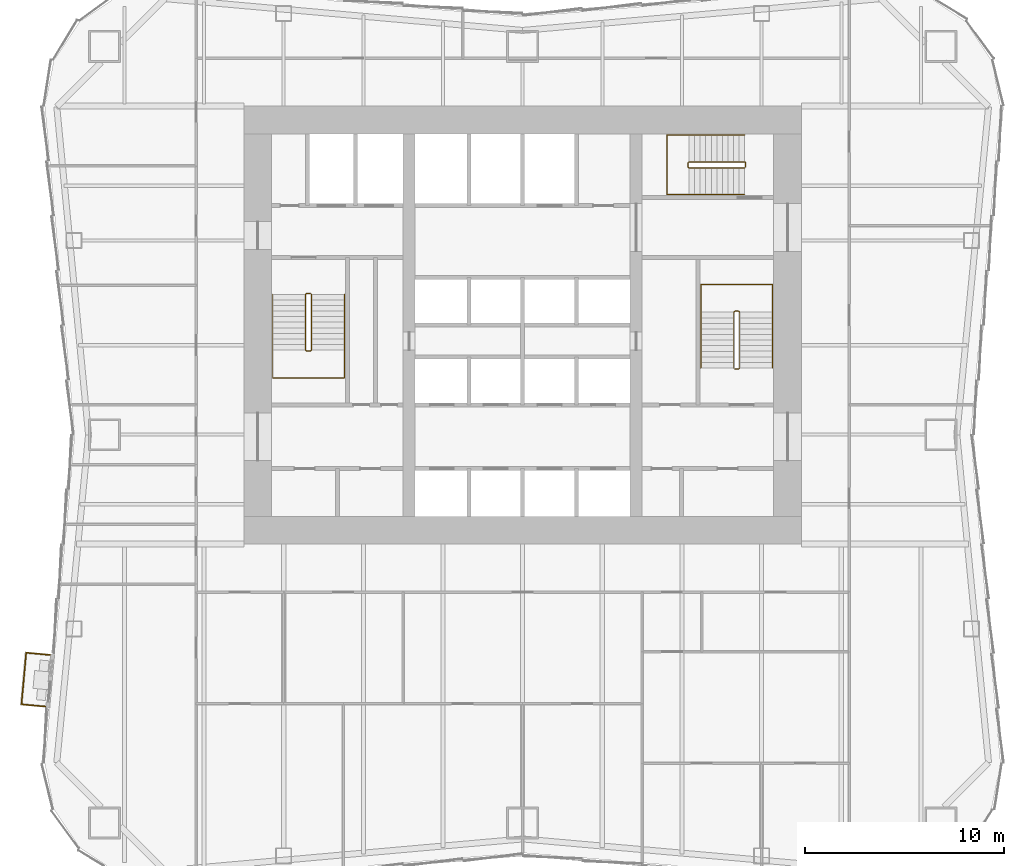
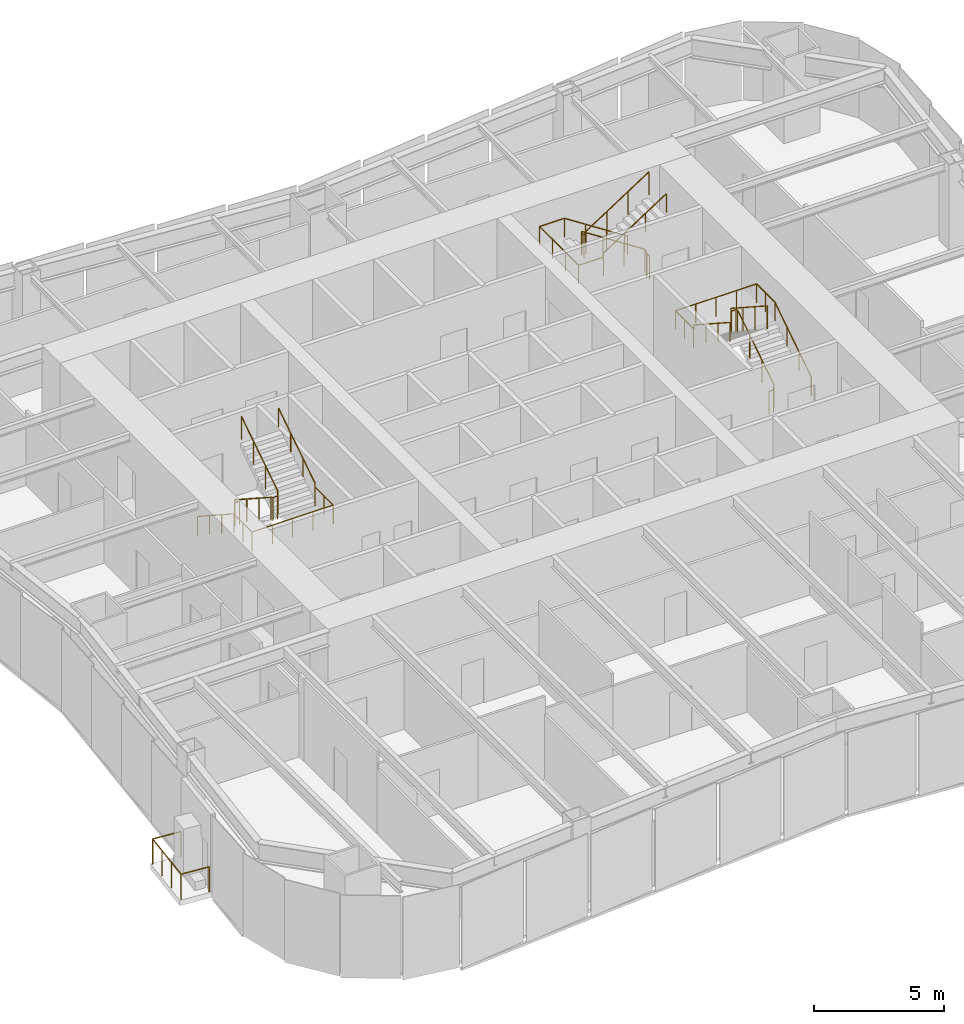
# One storey, part 7 of 8: 7 railings.
"""IFC4 building model written with IfcOpenShell, lengths in metres."""

import ifcopenshell
import ifcopenshell.guid

model = None  # the IFC model being written
_history = None  # IfcOwnerHistory: only IFC2X3 demands one
_inside = {}  # id of a spatial element -> (the spatial element, [elements in it])
_under = {}  # id of a project, library or spatial element -> (it, [spatial elements below it])
_declared = {}  # id of a project -> (the project, [libraries it declares])
_typed = {}  # id of a type object -> (the type object, [elements of that type])
_made_of = {}  # id of a material, layer set ... -> (it, [elements and type objects made of it])


def new_model(schema):
    """Start an empty IFC model of exactly this schema.

    Asked for "IFC4X3", IfcOpenShell would pick the latest addendum, in which some entities
    have other attributes; the version numbers below select the first issue.
    IFC2X3 requires an IfcOwnerHistory on every rooted entity: one is made here for all.
    """
    global model, _history
    if schema == "IFC4X3":
        model = ifcopenshell.file(schema_version=(4, 3, 0, 0))
    else:
        model = ifcopenshell.file(schema=schema)
    _inside.clear()
    _under.clear()
    _declared.clear()
    _typed.clear()
    _made_of.clear()
    _history = None
    if model.schema == "IFC2X3":
        org = make("IfcOrganization", Name="unknown")
        user = make(
            "IfcPersonAndOrganization",
            ThePerson=make("IfcPerson", FamilyName="unknown"),
            TheOrganization=org,
        )
        app = make(
            "IfcApplication",
            ApplicationDeveloper=org,
            Version="unknown",
            ApplicationFullName="unknown",
            ApplicationIdentifier="unknown",
        )
        _history = make(
            "IfcOwnerHistory",
            OwningUser=user,
            OwningApplication=app,
            ChangeAction="ADDED",
            CreationDate=0,
        )
    return model


def make(cls, **values):
    """One entity of the class cls with the attributes given. An attribute that is None is left unset."""
    return model.create_entity(
        cls, **{name: value for name, value in values.items() if value is not None}
    )


def rooted(cls, **values):
    """An entity with a GlobalId (a new one), such as an element, a storey or a relation."""
    return make(cls, GlobalId=ifcopenshell.guid.new(), OwnerHistory=_history, **values)


def si_unit(unit_type, name, prefix=None):
    """IfcSIUnit, for example si_unit("LENGTHUNIT", "METRE", prefix="MILLI")."""
    return make("IfcSIUnit", UnitType=unit_type, Prefix=prefix, Name=name)


def assignment(units):
    """IfcUnitAssignment: the units of a project."""
    return None if units is None else make("IfcUnitAssignment", Units=units)


def point(xyz):
    """IfcCartesianPoint."""
    return None if xyz is None else make("IfcCartesianPoint", Coordinates=xyz)


def direction(xyz):
    """IfcDirection."""
    return None if xyz is None else make("IfcDirection", DirectionRatios=xyz)


def frame(location, z_axis=None, x_axis=None):
    """IfcAxis2Placement3D, a coordinate frame: its origin and axes. An axis left out is left unset."""
    return make(
        "IfcAxis2Placement3D",
        Location=point(location),
        Axis=direction(z_axis),
        RefDirection=direction(x_axis),
    )


def frame_2d(location, x_axis=None):
    """IfcAxis2Placement2D, a coordinate frame in the plane: its origin and x axis."""
    return make(
        "IfcAxis2Placement2D", Location=point(location), RefDirection=direction(x_axis)
    )


def origin():
    """The frame at (0, 0, 0) with its axes left unset."""
    return frame((0.0, 0.0, 0.0))


def origin_2d():
    """The frame at (0, 0) in the plane with its x axis left unset."""
    return frame_2d((0.0, 0.0))


def place(relative_to, where):
    """IfcLocalPlacement: puts the frame where relative to a parent placement (None: the world)."""
    return make(
        "IfcLocalPlacement", PlacementRelTo=relative_to, RelativePlacement=where
    )


def context(
    kind, dimensions, precision=None, world=None, true_north=None, identifier=None
):
    """IfcGeometricRepresentationContext, for example the 3D "Model" context."""
    return make(
        "IfcGeometricRepresentationContext",
        ContextIdentifier=identifier,
        ContextType=kind,
        CoordinateSpaceDimension=dimensions,
        Precision=precision,
        WorldCoordinateSystem=world,
        TrueNorth=true_north,
    )


def subcontext(parent, identifier, kind, view, scale=None):
    """IfcGeometricRepresentationSubContext, for example "Body" below "Model"."""
    return make(
        "IfcGeometricRepresentationSubContext",
        ContextIdentifier=identifier,
        ContextType=kind,
        ParentContext=parent,
        TargetScale=scale,
        TargetView=view,
    )


def project(units=None, contexts=None):
    """IfcProject with its units and contexts."""
    return rooted(
        "IfcProject",
        Name="project",
        RepresentationContexts=contexts,
        UnitsInContext=assignment(units),
    )


def spatial(cls, under=None, at=None, **own):
    """A site, building, storey or space (cls), placed at a placement, below another one or the project."""
    s = rooted(cls, ObjectPlacement=at, **own)
    if under is not None:
        _under.setdefault(under.id(), (under, []))[1].append(s)
    return s


def profile(cls, at=None, kind="AREA", **sizes):
    """A parametric profile (cls). Its sizes go by their IFC names, for example OverallWidth=200.0."""
    return make(cls, ProfileType=kind, Position=at, **sizes)


def circle(**sizes):
    """IfcCircleProfileDef."""
    return profile("IfcCircleProfileDef", **sizes)


def extrude(swept, where, along, depth):
    """IfcExtrudedAreaSolid: the profile swept, set in the frame where, extruded along a direction by depth."""
    return make(
        "IfcExtrudedAreaSolid",
        SweptArea=swept,
        Position=where,
        ExtrudedDirection=direction(along),
        Depth=depth,
    )


def shape(context_of_items, identifier, shape_type, items):
    """IfcShapeRepresentation: the items that make up one representation, for example the "Body"."""
    return make(
        "IfcShapeRepresentation",
        ContextOfItems=context_of_items,
        RepresentationIdentifier=identifier,
        RepresentationType=shape_type,
        Items=items,
    )


def material(Name=None, Category=None):
    """IfcMaterial."""
    return make("IfcMaterial", Name=Name, Category=Category)


def made_of(thing, what):
    """Note that an element or type object is made of a material, layer set ...; save() writes the relation."""
    if what is not None:
        _made_of.setdefault(what.id(), (what, []))[1].append(thing)
    return thing


def type_object(cls, material=None, **own):
    """A type object (cls), such as IfcWallType, which elements share."""
    return made_of(rooted(cls, **own), material)


def element(
    cls,
    number,
    at=None,
    inside=None,
    cuts=None,
    type_object=None,
    material=None,
    context=None,
    identifier="Body",
    shape_type=None,
    held_by="IfcProductDefinitionShape",
    body=None,
    shapes=None,
    **own,
):
    """One element of the class cls, such as IfcWall. Its Tag is "e" and its number.

    at: its placement. inside: the storey or other place that contains it. cuts: it is an
    opening in that element (IfcRelVoidsElement). A single representation is given by context,
    identifier, shape_type and body (its items); several are given by shapes. held_by: the class
    of the entity that holds the representations. save() writes the other relations.
    """
    e = rooted(cls, Tag="e%d" % number, ObjectPlacement=at, **own)
    if body is not None:
        shapes = [shape(context, identifier, shape_type, body)]
    if shapes is not None:
        e.Representation = make(held_by, Representations=shapes)
    if inside is not None:
        _inside.setdefault(inside.id(), (inside, []))[1].append(e)
    if cuts is not None:
        rooted(
            "IfcRelVoidsElement", RelatingBuildingElement=cuts, RelatedOpeningElement=e
        )
    if type_object is not None:
        _typed.setdefault(type_object.id(), (type_object, []))[1].append(e)
    return made_of(e, material)


def aggregate(whole, parts):
    """IfcRelAggregates: a whole, such as a stair, and the parts it consists of."""
    return rooted("IfcRelAggregates", RelatingObject=whole, RelatedObjects=parts)


def save(model, path):
    """Write the relations noted so far, then the file.

    IfcRelAggregates (storeys below a building ...), IfcRelContainedInSpatialStructure (elements
    in a storey), IfcRelDefinesByType, IfcRelAssociatesMaterial and IfcRelDeclares: one each for
    every whole, place, type object, material and project.
    """
    for whole, parts in _under.values():
        aggregate(whole, parts)
    for where, things in _inside.values():
        rooted(
            "IfcRelContainedInSpatialStructure",
            RelatedElements=things,
            RelatingStructure=where,
        )
    for kind, things in _typed.values():
        rooted("IfcRelDefinesByType", RelatedObjects=things, RelatingType=kind)
    for what, things in _made_of.values():
        rooted("IfcRelAssociatesMaterial", RelatedObjects=things, RelatingMaterial=what)
    for by, libraries in _declared.values():
        rooted("IfcRelDeclares", RelatingContext=by, RelatedDefinitions=libraries)
    model.write(path)


model = new_model("IFC4")

# Units and contexts
model_context = context("Model", 3, precision=1e-05, world=origin(), true_north=direction((0.0, 1.0)))
body_context = subcontext(model_context, "Body", "Model", "MODEL_VIEW")
ifc_project = project(units=[si_unit("LENGTHUNIT", "METRE"), si_unit("AREAUNIT", "SQUARE_METRE"), si_unit("VOLUMEUNIT", "CUBIC_METRE"), si_unit("PLANEANGLEUNIT", "RADIAN"), si_unit("MASSUNIT", "GRAM", prefix="KILO")], contexts=[model_context])

# Site, building, storey
site_placement = place(None, origin())
site = spatial("IfcSite", under=ifc_project, at=site_placement, CompositionType="ELEMENT")
building_placement = place(site_placement, origin())
building = spatial("IfcBuilding", under=site, at=building_placement, Name="Verdant Reach Tower", CompositionType="ELEMENT")
storey_placement = place(building_placement, frame((0.0, 0.0, 22.0)))
storey = spatial("IfcBuildingStorey", under=building, at=storey_placement, Name="L04", CompositionType="ELEMENT", Elevation=22.0)

# Railings
ifc_material_1 = material(Name="Stainless steel", Category="steel")
railing_type_1 = type_object("IfcRailingType", Name="CO-GUARD", PredefinedType="GUARDRAIL", material=ifc_material_1)
railing_1_placement = place(storey_placement, frame((-10.64990234375, 29.60009765625, 0.0)))
element("IfcRailing", 1, at=railing_1_placement, inside=storey, type_object=railing_type_1, Name="L04 ST-1 stair guard 1", PredefinedType="GUARDRAIL", context=body_context, shape_type="SweptSolid", body=[
    extrude(circle(Radius=0.02392578125, at=origin_2d()), frame((0.0, 0.0, 1.076171875), z_axis=(-1.0, 0.0, 0.0), x_axis=(0.0, -1.0, 0.0)), (0.0, 0.0, 1.0), 0.2001953125),
    extrude(circle(Radius=0.02392578125, at=origin_2d()), frame((-0.2001953125, 0.0, 1.076171875), z_axis=(-0.25526617399, -0.256517478764, 0.932222056972), x_axis=(0.708833529934, -0.705375805398, 0.0)), (0.0, 0.0, 1.0), 0.195068359375),
    extrude(circle(Radius=0.02392578125, at=origin_2d()), frame((-0.25, -0.050048828125, 1.2578125), z_axis=(0.0, -0.838705829183, 0.544584733623), x_axis=(1.0, 0.0, 0.0)), (0.0, 0.0, 1.0), 3.338623046875),
    extrude(circle(Radius=0.02392578125, at=origin_2d()), frame((-0.25, -2.85009765625, 3.076171875), z_axis=(0.705375805398, -0.708833529934, 0.0), x_axis=(0.708833529934, 0.705375805398, 0.0)), (0.0, 0.0, 1.0), 0.070556640625),
    extrude(circle(Radius=0.02392578125, at=origin_2d()), frame((-0.2001953125, -2.900146484375, 3.076171875), z_axis=(1.0, 0.0, 0.0), x_axis=(0.0, 1.0, 0.0)), (0.0, 0.0, 1.0), 0.2001953125),
    extrude(circle(Radius=0.02392578125, at=origin_2d()), frame((0.0, -2.900146484375, 3.076171875), z_axis=(0.25526617399, 0.256517478764, 0.932222056972), x_axis=(-0.708833529934, 0.705375805398, 0.0)), (0.0, 0.0, 1.0), 0.195068359375),
    extrude(circle(Radius=0.02392578125, at=origin_2d()), frame((0.0498046875, -2.85009765625, 3.2578125), z_axis=(0.0, 0.838705829183, 0.544584733623), x_axis=(-1.0, 0.0, 0.0)), (0.0, 0.0, 1.0), 3.338623046875),
    extrude(circle(Radius=0.02099609375, at=origin_2d()), origin(), (0.0, 0.0, 1.0), 1.052001953125),
    extrude(circle(Radius=0.02099609375, at=origin_2d()), frame((-0.2001953125, 0.0, 0.0)), (0.0, 0.0, 1.0), 1.052001953125),
    extrude(circle(Radius=0.02099609375, at=origin_2d()), frame((-0.25, -0.050048828125, 0.181884765625)), (0.0, 0.0, 1.0), 1.052001953125),
    extrude(circle(Radius=0.02099609375, at=origin_2d()), frame((-0.25, -0.9833984375, 0.787841796875)), (0.0, 0.0, 1.0), 1.052001953125),
    extrude(circle(Radius=0.02099609375, at=origin_2d()), frame((-0.25, -1.916748046875, 1.39404296875)), (0.0, 0.0, 1.0), 1.052001953125),
    extrude(circle(Radius=0.02099609375, at=origin_2d()), frame((-0.25, -2.85009765625, 2.0)), (0.0, 0.0, 1.0), 1.052001953125),
    extrude(circle(Radius=0.02099609375, at=origin_2d()), frame((-0.2001953125, -2.900146484375, 2.0)), (0.0, 0.0, 1.0), 1.052001953125),
    extrude(circle(Radius=0.02099609375, at=origin_2d()), frame((0.0, -2.900146484375, 2.0)), (0.0, 0.0, 1.0), 1.052001953125),
    extrude(circle(Radius=0.02099609375, at=origin_2d()), frame((0.0498046875, -2.85009765625, 2.181884765625)), (0.0, 0.0, 1.0), 1.052001953125),
    extrude(circle(Radius=0.02099609375, at=origin_2d()), frame((0.0498046875, -1.916748046875, 2.787841796875)), (0.0, 0.0, 1.0), 1.052001953125),
    extrude(circle(Radius=0.02099609375, at=origin_2d()), frame((0.0498046875, -0.9833984375, 3.39404296875)), (0.0, 0.0, 1.0), 1.052001953125),
    extrude(circle(Radius=0.02099609375, at=origin_2d()), frame((0.0498046875, -0.050048828125, 4.0)), (0.0, 0.0, 1.0), 1.052001953125),
])
railing_2_placement = place(storey_placement, frame((10.64990234375, 25.800048828125, 0.0)))
element("IfcRailing", 2, at=railing_2_placement, inside=storey, type_object=railing_type_1, Name="L04 ST-2 stair guard 1", PredefinedType="GUARDRAIL", context=body_context, shape_type="SweptSolid", body=[
    extrude(circle(Radius=0.02392578125, at=origin_2d()), frame((0.0, 0.0, 1.076171875), z_axis=(1.0, 0.0, 0.0), x_axis=(0.0, 1.0, 0.0)), (0.0, 0.0, 1.0), 0.2001953125),
    extrude(circle(Radius=0.02392578125, at=origin_2d()), frame((0.2001953125, 0.0, 1.076171875), z_axis=(0.25526617399, 0.256517478764, 0.932222056972), x_axis=(-0.708833529934, 0.705375805398, 0.0)), (0.0, 0.0, 1.0), 0.195068359375),
    extrude(circle(Radius=0.02392578125, at=origin_2d()), frame((0.25, 0.050048828125, 1.2578125), z_axis=(0.0, 0.83868413941, 0.544618136222), x_axis=(-1.0, 0.0, 0.0)), (0.0, 0.0, 1.0), 3.33837890625),
    extrude(circle(Radius=0.02392578125, at=origin_2d()), frame((0.25, 2.849853515625, 3.076171875), z_axis=(-0.705375805398, 0.708833529934, 0.0), x_axis=(-0.708833529934, -0.705375805398, 0.0)), (0.0, 0.0, 1.0), 0.070556640625),
    extrude(circle(Radius=0.02392578125, at=origin_2d()), frame((0.2001953125, 2.89990234375, 3.076171875), z_axis=(-1.0, 0.0, 0.0), x_axis=(0.0, -1.0, 0.0)), (0.0, 0.0, 1.0), 0.2001953125),
    extrude(circle(Radius=0.02392578125, at=origin_2d()), frame((0.0, 2.89990234375, 3.076171875), z_axis=(-0.25526617399, -0.256517478764, 0.932222056972), x_axis=(0.708833529934, -0.705375805398, 0.0)), (0.0, 0.0, 1.0), 0.195068359375),
    extrude(circle(Radius=0.02392578125, at=origin_2d()), frame((-0.0498046875, 2.849853515625, 3.2578125), z_axis=(0.0, -0.83868413941, 0.544618136222), x_axis=(1.0, 0.0, 0.0)), (0.0, 0.0, 1.0), 3.33837890625),
    extrude(circle(Radius=0.02099609375, at=origin_2d()), origin(), (0.0, 0.0, 1.0), 1.052001953125),
    extrude(circle(Radius=0.02099609375, at=origin_2d()), frame((0.2001953125, 0.0, 0.0)), (0.0, 0.0, 1.0), 1.052001953125),
    extrude(circle(Radius=0.02099609375, at=origin_2d()), frame((0.25, 0.050048828125, 0.181884765625)), (0.0, 0.0, 1.0), 1.052001953125),
    extrude(circle(Radius=0.02099609375, at=origin_2d()), frame((0.25, 0.9833984375, 0.787841796875)), (0.0, 0.0, 1.0), 1.052001953125),
    extrude(circle(Radius=0.02099609375, at=origin_2d()), frame((0.25, 1.91650390625, 1.39404296875)), (0.0, 0.0, 1.0), 1.052001953125),
    extrude(circle(Radius=0.02099609375, at=origin_2d()), frame((0.25, 2.849853515625, 2.0)), (0.0, 0.0, 1.0), 1.052001953125),
    extrude(circle(Radius=0.02099609375, at=origin_2d()), frame((0.2001953125, 2.89990234375, 2.0)), (0.0, 0.0, 1.0), 1.052001953125),
    extrude(circle(Radius=0.02099609375, at=origin_2d()), frame((0.0, 2.89990234375, 2.0)), (0.0, 0.0, 1.0), 1.052001953125),
    extrude(circle(Radius=0.02099609375, at=origin_2d()), frame((-0.0498046875, 2.849853515625, 2.181884765625)), (0.0, 0.0, 1.0), 1.052001953125),
    extrude(circle(Radius=0.02099609375, at=origin_2d()), frame((-0.0498046875, 1.91650390625, 2.787841796875)), (0.0, 0.0, 1.0), 1.052001953125),
    extrude(circle(Radius=0.02099609375, at=origin_2d()), frame((-0.0498046875, 0.9833984375, 3.39404296875)), (0.0, 0.0, 1.0), 1.052001953125),
    extrude(circle(Radius=0.02099609375, at=origin_2d()), frame((-0.0498046875, 0.050048828125, 4.0)), (0.0, 0.0, 1.0), 1.052001953125),
])
railing_3_placement = place(storey_placement, frame((11.199951171875, 35.949951171875, 0.0)))
element("IfcRailing", 3, at=railing_3_placement, inside=storey, type_object=railing_type_1, Name="L04 ST-3 stair guard 1", PredefinedType="GUARDRAIL", context=body_context, shape_type="SweptSolid", body=[
    extrude(circle(Radius=0.02392578125, at=origin_2d()), frame((0.0, 0.0, 1.076171875), z_axis=(0.0, 1.0, 0.0), x_axis=(-1.0, 0.0, 0.0)), (0.0, 0.0, 1.0), 0.199951171875),
    extrude(circle(Radius=0.02392578125, at=origin_2d()), frame((0.0, 0.199951171875, 1.076171875), z_axis=(-0.256435381639, 0.256435381639, 0.931923704005), x_axis=(-0.707106781187, -0.707106781187, 0.0)), (0.0, 0.0, 1.0), 0.195068359375),
    extrude(circle(Radius=0.02392578125, at=origin_2d()), frame((-0.050048828125, 0.25, 1.2578125), z_axis=(-0.83868413941, 0.0, 0.544618136222), x_axis=(0.0, -1.0, 0.0)), (0.0, 0.0, 1.0), 3.33837890625),
    extrude(circle(Radius=0.02392578125, at=origin_2d()), frame((-2.849853515625, 0.25, 3.076171875), z_axis=(-0.707106781187, -0.707106781187, 0.0), x_axis=(0.707106781187, -0.707106781187, 0.0)), (0.0, 0.0, 1.0), 0.07080078125),
    extrude(circle(Radius=0.02392578125, at=origin_2d()), frame((-2.89990234375, 0.199951171875, 3.076171875), z_axis=(0.0, -1.0, 0.0), x_axis=(1.0, 0.0, 0.0)), (0.0, 0.0, 1.0), 0.199951171875),
    extrude(circle(Radius=0.02392578125, at=origin_2d()), frame((-2.89990234375, 0.0, 3.076171875), z_axis=(0.256435381639, -0.256435381639, 0.931923704005), x_axis=(0.707106781187, 0.707106781187, 0.0)), (0.0, 0.0, 1.0), 0.195068359375),
    extrude(circle(Radius=0.02392578125, at=origin_2d()), frame((-2.849853515625, -0.050048828125, 3.2578125), z_axis=(0.83868413941, 0.0, 0.544618136222), x_axis=(0.0, 1.0, 0.0)), (0.0, 0.0, 1.0), 3.33837890625),
    extrude(circle(Radius=0.02099609375, at=origin_2d()), origin(), (0.0, 0.0, 1.0), 1.052001953125),
    extrude(circle(Radius=0.02099609375, at=origin_2d()), frame((0.0, 0.199951171875, 0.0)), (0.0, 0.0, 1.0), 1.052001953125),
    extrude(circle(Radius=0.02099609375, at=origin_2d()), frame((-0.050048828125, 0.25, 0.181884765625)), (0.0, 0.0, 1.0), 1.052001953125),
    extrude(circle(Radius=0.02099609375, at=origin_2d()), frame((-0.9833984375, 0.25, 0.787841796875)), (0.0, 0.0, 1.0), 1.052001953125),
    extrude(circle(Radius=0.02099609375, at=origin_2d()), frame((-1.91650390625, 0.25, 1.39404296875)), (0.0, 0.0, 1.0), 1.052001953125),
    extrude(circle(Radius=0.02099609375, at=origin_2d()), frame((-2.849853515625, 0.25, 2.0)), (0.0, 0.0, 1.0), 1.052001953125),
    extrude(circle(Radius=0.02099609375, at=origin_2d()), frame((-2.89990234375, 0.199951171875, 2.0)), (0.0, 0.0, 1.0), 1.052001953125),
    extrude(circle(Radius=0.02099609375, at=origin_2d()), frame((-2.89990234375, 0.0, 2.0)), (0.0, 0.0, 1.0), 1.052001953125),
    extrude(circle(Radius=0.02099609375, at=origin_2d()), frame((-2.849853515625, -0.050048828125, 2.181884765625)), (0.0, 0.0, 1.0), 1.052001953125),
    extrude(circle(Radius=0.02099609375, at=origin_2d()), frame((-1.91650390625, -0.050048828125, 2.787841796875)), (0.0, 0.0, 1.0), 1.052001953125),
    extrude(circle(Radius=0.02099609375, at=origin_2d()), frame((-0.9833984375, -0.050048828125, 3.39404296875)), (0.0, 0.0, 1.0), 1.052001953125),
    extrude(circle(Radius=0.02099609375, at=origin_2d()), frame((-0.050048828125, -0.050048828125, 4.0)), (0.0, 0.0, 1.0), 1.052001953125),
])
railing_type_2 = type_object("IfcRailingType", Name="CO-HANDRAIL", PredefinedType="HANDRAIL", material=ifc_material_1)
railing_4_placement = place(storey_placement, frame((-12.550048828125, 29.550048828125, 0.181884765625)))
element("IfcRailing", 4, at=railing_4_placement, inside=storey, type_object=railing_type_2, Name="L04 ST-1 stair handrail 1", PredefinedType="HANDRAIL", context=body_context, shape_type="SweptSolid", body=[
    extrude(circle(Radius=0.02392578125, at=origin_2d()), frame((0.0, 0.0, 0.8759765625), z_axis=(0.0, -0.838705829183, 0.544584733623), x_axis=(1.0, 0.0, 0.0)), (0.0, 0.0, 1.0), 3.338623046875),
    extrude(circle(Radius=0.02392578125, at=origin_2d()), frame((0.0, -2.800048828125, 2.69384765625), z_axis=(0.0, -1.0, 0.0), x_axis=(1.0, 0.0, 0.0)), (0.0, 0.0, 1.0), 1.39990234375),
    extrude(circle(Radius=0.02392578125, at=origin_2d()), frame((0.0, -4.199951171875, 2.69384765625), z_axis=(1.0, 0.0, 0.0), x_axis=(0.0, 1.0, 0.0)), (0.0, 0.0, 1.0), 3.60009765625),
    extrude(circle(Radius=0.02392578125, at=origin_2d()), frame((3.60009765625, -4.199951171875, 2.69384765625), z_axis=(0.0, 1.0, 0.0), x_axis=(-1.0, 0.0, 0.0)), (0.0, 0.0, 1.0), 1.39990234375),
    extrude(circle(Radius=0.02392578125, at=origin_2d()), frame((3.60009765625, -2.800048828125, 2.69384765625), z_axis=(0.0, 0.0, 1.0), x_axis=(1.0, 0.0, 0.0)), (0.0, 0.0, 1.0), 0.181884765625),
    extrude(circle(Radius=0.02392578125, at=origin_2d()), frame((3.60009765625, -2.800048828125, 2.8759765625), z_axis=(0.0, 0.838705829183, 0.544584733623), x_axis=(-1.0, 0.0, 0.0)), (0.0, 0.0, 1.0), 3.338623046875),
    extrude(circle(Radius=0.02099609375, at=origin_2d()), origin(), (0.0, 0.0, 1.0), 0.851806640625),
    extrude(circle(Radius=0.02099609375, at=origin_2d()), frame((0.0, -0.933349609375, 0.60595703125)), (0.0, 0.0, 1.0), 0.851806640625),
    extrude(circle(Radius=0.02099609375, at=origin_2d()), frame((0.0, -1.86669921875, 1.212158203125)), (0.0, 0.0, 1.0), 0.851806640625),
    extrude(circle(Radius=0.02099609375, at=origin_2d()), frame((0.0, -2.800048828125, 1.818115234375)), (0.0, 0.0, 1.0), 0.851806640625),
    extrude(circle(Radius=0.02099609375, at=origin_2d()), frame((0.0, -3.5, 1.818115234375)), (0.0, 0.0, 1.0), 0.851806640625),
    extrude(circle(Radius=0.02099609375, at=origin_2d()), frame((0.0, -4.199951171875, 1.818115234375)), (0.0, 0.0, 1.0), 0.851806640625),
    extrude(circle(Radius=0.02099609375, at=origin_2d()), frame((0.89990234375, -4.199951171875, 1.818115234375)), (0.0, 0.0, 1.0), 0.851806640625),
    extrude(circle(Radius=0.02099609375, at=origin_2d()), frame((1.800048828125, -4.199951171875, 1.818115234375)), (0.0, 0.0, 1.0), 0.851806640625),
    extrude(circle(Radius=0.02099609375, at=origin_2d()), frame((2.7001953125, -4.199951171875, 1.818115234375)), (0.0, 0.0, 1.0), 0.851806640625),
    extrude(circle(Radius=0.02099609375, at=origin_2d()), frame((3.60009765625, -4.199951171875, 1.818115234375)), (0.0, 0.0, 1.0), 0.851806640625),
    extrude(circle(Radius=0.02099609375, at=origin_2d()), frame((3.60009765625, -3.5, 1.818115234375)), (0.0, 0.0, 1.0), 0.851806640625),
    extrude(circle(Radius=0.02099609375, at=origin_2d()), frame((3.60009765625, -2.800048828125, 1.818115234375)), (0.0, 0.0, 1.0), 0.851806640625),
    extrude(circle(Radius=0.02099609375, at=origin_2d()), frame((3.60009765625, -2.800048828125, 2.0)), (0.0, 0.0, 1.0), 0.851806640625),
    extrude(circle(Radius=0.02099609375, at=origin_2d()), frame((3.60009765625, -1.86669921875, 2.60595703125)), (0.0, 0.0, 1.0), 0.851806640625),
    extrude(circle(Radius=0.02099609375, at=origin_2d()), frame((3.60009765625, -0.933349609375, 3.212158203125)), (0.0, 0.0, 1.0), 0.851806640625),
    extrude(circle(Radius=0.02099609375, at=origin_2d()), frame((3.60009765625, 0.0, 3.818115234375)), (0.0, 0.0, 1.0), 0.851806640625),
])
railing_5_placement = place(storey_placement, frame((12.550048828125, 25.85009765625, 0.181884765625)))
element("IfcRailing", 5, at=railing_5_placement, inside=storey, type_object=railing_type_2, Name="L04 ST-2 stair handrail 1", PredefinedType="HANDRAIL", context=body_context, shape_type="SweptSolid", body=[
    extrude(circle(Radius=0.02392578125, at=origin_2d()), frame((0.0, 0.0, 0.8759765625), z_axis=(0.0, 0.83868413941, 0.544618136222), x_axis=(-1.0, 0.0, 0.0)), (0.0, 0.0, 1.0), 3.33837890625),
    extrude(circle(Radius=0.02392578125, at=origin_2d()), frame((0.0, 2.7998046875, 2.69384765625), z_axis=(0.0, 1.0, 0.0), x_axis=(-1.0, 0.0, 0.0)), (0.0, 0.0, 1.0), 1.400146484375),
    extrude(circle(Radius=0.02392578125, at=origin_2d()), frame((0.0, 4.199951171875, 2.69384765625), z_axis=(-1.0, 0.0, 0.0), x_axis=(0.0, -1.0, 0.0)), (0.0, 0.0, 1.0), 3.60009765625),
    extrude(circle(Radius=0.02392578125, at=origin_2d()), frame((-3.60009765625, 4.199951171875, 2.69384765625), z_axis=(0.0, -1.0, 0.0), x_axis=(1.0, 0.0, 0.0)), (0.0, 0.0, 1.0), 1.400146484375),
    extrude(circle(Radius=0.02392578125, at=origin_2d()), frame((-3.60009765625, 2.7998046875, 2.69384765625), z_axis=(0.0, 0.0, 1.0), x_axis=(1.0, 0.0, 0.0)), (0.0, 0.0, 1.0), 0.181884765625),
    extrude(circle(Radius=0.02392578125, at=origin_2d()), frame((-3.60009765625, 2.7998046875, 2.8759765625), z_axis=(0.0, -0.83868413941, 0.544618136222), x_axis=(1.0, 0.0, 0.0)), (0.0, 0.0, 1.0), 3.33837890625),
    extrude(circle(Radius=0.02099609375, at=origin_2d()), origin(), (0.0, 0.0, 1.0), 0.851806640625),
    extrude(circle(Radius=0.02099609375, at=origin_2d()), frame((0.0, 0.933349609375, 0.60595703125)), (0.0, 0.0, 1.0), 0.851806640625),
    extrude(circle(Radius=0.02099609375, at=origin_2d()), frame((0.0, 1.866455078125, 1.212158203125)), (0.0, 0.0, 1.0), 0.851806640625),
    extrude(circle(Radius=0.02099609375, at=origin_2d()), frame((0.0, 2.7998046875, 1.818115234375)), (0.0, 0.0, 1.0), 0.851806640625),
    extrude(circle(Radius=0.02099609375, at=origin_2d()), frame((0.0, 3.5, 1.818115234375)), (0.0, 0.0, 1.0), 0.851806640625),
    extrude(circle(Radius=0.02099609375, at=origin_2d()), frame((0.0, 4.199951171875, 1.818115234375)), (0.0, 0.0, 1.0), 0.851806640625),
    extrude(circle(Radius=0.02099609375, at=origin_2d()), frame((-0.89990234375, 4.199951171875, 1.818115234375)), (0.0, 0.0, 1.0), 0.851806640625),
    extrude(circle(Radius=0.02099609375, at=origin_2d()), frame((-1.800048828125, 4.199951171875, 1.818115234375)), (0.0, 0.0, 1.0), 0.851806640625),
    extrude(circle(Radius=0.02099609375, at=origin_2d()), frame((-2.7001953125, 4.199951171875, 1.818115234375)), (0.0, 0.0, 1.0), 0.851806640625),
    extrude(circle(Radius=0.02099609375, at=origin_2d()), frame((-3.60009765625, 4.199951171875, 1.818115234375)), (0.0, 0.0, 1.0), 0.851806640625),
    extrude(circle(Radius=0.02099609375, at=origin_2d()), frame((-3.60009765625, 3.5, 1.818115234375)), (0.0, 0.0, 1.0), 0.851806640625),
    extrude(circle(Radius=0.02099609375, at=origin_2d()), frame((-3.60009765625, 2.7998046875, 1.818115234375)), (0.0, 0.0, 1.0), 0.851806640625),
    extrude(circle(Radius=0.02099609375, at=origin_2d()), frame((-3.60009765625, 2.7998046875, 2.0)), (0.0, 0.0, 1.0), 0.851806640625),
    extrude(circle(Radius=0.02099609375, at=origin_2d()), frame((-3.60009765625, 1.866455078125, 2.60595703125)), (0.0, 0.0, 1.0), 0.851806640625),
    extrude(circle(Radius=0.02099609375, at=origin_2d()), frame((-3.60009765625, 0.933349609375, 3.212158203125)), (0.0, 0.0, 1.0), 0.851806640625),
    extrude(circle(Radius=0.02099609375, at=origin_2d()), frame((-3.60009765625, 0.0, 3.818115234375)), (0.0, 0.0, 1.0), 0.851806640625),
])
railing_6_placement = place(storey_placement, frame((11.14990234375, 37.550048828125, 0.181884765625)))
element("IfcRailing", 6, at=railing_6_placement, inside=storey, type_object=railing_type_2, Name="L04 ST-3 stair handrail 1", PredefinedType="HANDRAIL", context=body_context, shape_type="SweptSolid", body=[
    extrude(circle(Radius=0.02392578125, at=origin_2d()), frame((0.0, 0.0, 0.8759765625), z_axis=(-0.83868413941, 0.0, 0.544618136222), x_axis=(0.0, -1.0, 0.0)), (0.0, 0.0, 1.0), 3.33837890625),
    extrude(circle(Radius=0.02392578125, at=origin_2d()), frame((-2.7998046875, 0.0, 2.69384765625), z_axis=(-1.0, 0.0, 0.0), x_axis=(0.0, -1.0, 0.0)), (0.0, 0.0, 1.0), 1.10009765625),
    extrude(circle(Radius=0.02392578125, at=origin_2d()), frame((-3.89990234375, 0.0, 2.69384765625), z_axis=(0.0, -1.0, 0.0), x_axis=(1.0, 0.0, 0.0)), (0.0, 0.0, 1.0), 3.0),
    extrude(circle(Radius=0.02392578125, at=origin_2d()), frame((-3.89990234375, -3.0, 2.69384765625), z_axis=(1.0, 0.0, 0.0), x_axis=(0.0, 1.0, 0.0)), (0.0, 0.0, 1.0), 1.10009765625),
    extrude(circle(Radius=0.02392578125, at=origin_2d()), frame((-2.7998046875, -3.0, 2.69384765625), z_axis=(0.0, 0.0, 1.0), x_axis=(1.0, 0.0, 0.0)), (0.0, 0.0, 1.0), 0.181884765625),
    extrude(circle(Radius=0.02392578125, at=origin_2d()), frame((-2.7998046875, -3.0, 2.8759765625), z_axis=(0.83868413941, 0.0, 0.544618136222), x_axis=(0.0, 1.0, 0.0)), (0.0, 0.0, 1.0), 3.33837890625),
    extrude(circle(Radius=0.02099609375, at=origin_2d()), origin(), (0.0, 0.0, 1.0), 0.851806640625),
    extrude(circle(Radius=0.02099609375, at=origin_2d()), frame((-0.933349609375, 0.0, 0.60595703125)), (0.0, 0.0, 1.0), 0.851806640625),
    extrude(circle(Radius=0.02099609375, at=origin_2d()), frame((-1.866455078125, 0.0, 1.212158203125)), (0.0, 0.0, 1.0), 0.851806640625),
    extrude(circle(Radius=0.02099609375, at=origin_2d()), frame((-2.7998046875, 0.0, 1.818115234375)), (0.0, 0.0, 1.0), 0.851806640625),
    extrude(circle(Radius=0.02099609375, at=origin_2d()), frame((-3.89990234375, 0.0, 1.818115234375)), (0.0, 0.0, 1.0), 0.851806640625),
    extrude(circle(Radius=0.02099609375, at=origin_2d()), frame((-3.89990234375, -1.0, 1.818115234375)), (0.0, 0.0, 1.0), 0.851806640625),
    extrude(circle(Radius=0.02099609375, at=origin_2d()), frame((-3.89990234375, -2.0, 1.818115234375)), (0.0, 0.0, 1.0), 0.851806640625),
    extrude(circle(Radius=0.02099609375, at=origin_2d()), frame((-3.89990234375, -3.0, 1.818115234375)), (0.0, 0.0, 1.0), 0.851806640625),
    extrude(circle(Radius=0.02099609375, at=origin_2d()), frame((-2.7998046875, -3.0, 1.818115234375)), (0.0, 0.0, 1.0), 0.851806640625),
    extrude(circle(Radius=0.02099609375, at=origin_2d()), frame((-2.7998046875, -3.0, 2.0)), (0.0, 0.0, 1.0), 0.851806640625),
    extrude(circle(Radius=0.02099609375, at=origin_2d()), frame((-1.866455078125, -3.0, 2.60595703125)), (0.0, 0.0, 1.0), 0.851806640625),
    extrude(circle(Radius=0.02099609375, at=origin_2d()), frame((-0.933349609375, -3.0, 3.212158203125)), (0.0, 0.0, 1.0), 0.851806640625),
    extrude(circle(Radius=0.02099609375, at=origin_2d()), frame((0.0, -3.0, 3.818115234375)), (0.0, 0.0, 1.0), 0.851806640625),
])
ifc_material_2 = material(Name="Stainless steel and laminated glass balustrade", Category="steel")
railing_type_3 = type_object("IfcRailingType", Name="EN-RAILING BALCONY", PredefinedType="GUARDRAIL", material=ifc_material_2)
railing_7_placement = place(storey_placement, frame((-23.736328125, 11.441162109375, 0.0)))
element("IfcRailing", 7, at=railing_7_placement, inside=storey, type_object=railing_type_3, Name="Balcony guard 1, L04", PredefinedType="GUARDRAIL", context=body_context, shape_type="SweptSolid", body=[
    extrude(circle(Radius=0.02490234375, at=origin_2d()), frame((0.0, 0.0, 1.1748046875), z_axis=(-0.995893206468, 0.090535746043, 0.0), x_axis=(-0.090535746043, -0.995893206468, 0.0)), (0.0, 0.0, 1.0), 1.199951171875),
    extrude(circle(Radius=0.02490234375, at=origin_2d()), frame((-1.195068359375, 0.108642578125, 1.1748046875), z_axis=(-0.090569595155, -0.995890128696, 0.0), x_axis=(0.995890128696, -0.090569595155, 0.0)), (0.0, 0.0, 1.0), 2.601318359375),
    extrude(circle(Radius=0.02490234375, at=origin_2d()), frame((-1.4306640625, -2.48193359375, 1.1748046875), z_axis=(0.995893206468, -0.090535746043, 0.0), x_axis=(0.090535746043, 0.995893206468, 0.0)), (0.0, 0.0, 1.0), 1.199951171875),
    extrude(circle(Radius=0.02490234375, at=origin_2d()), origin(), (0.0, 0.0, 1.0), 1.14990234375),
    extrude(circle(Radius=0.02490234375, at=origin_2d()), frame((-1.195068359375, 0.108642578125, 0.0)), (0.0, 0.0, 1.0), 1.14990234375),
    extrude(circle(Radius=0.02490234375, at=origin_2d()), frame((-1.273681640625, -0.7548828125, 0.0)), (0.0, 0.0, 1.0), 1.14990234375),
    extrude(circle(Radius=0.02490234375, at=origin_2d()), frame((-1.35205078125, -1.618408203125, 0.0)), (0.0, 0.0, 1.0), 1.14990234375),
    extrude(circle(Radius=0.02490234375, at=origin_2d()), frame((-1.4306640625, -2.48193359375, 0.0)), (0.0, 0.0, 1.0), 1.14990234375),
    extrude(circle(Radius=0.02490234375, at=origin_2d()), frame((-0.235595703125, -2.590576171875, 0.0)), (0.0, 0.0, 1.0), 1.14990234375),
])

save(model, "model.ifc")
